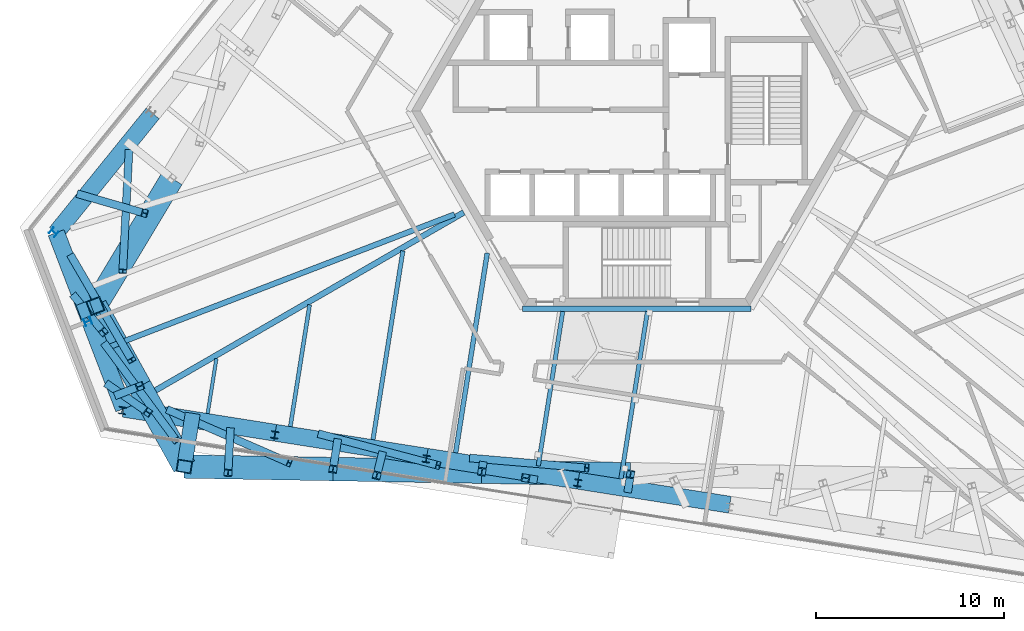
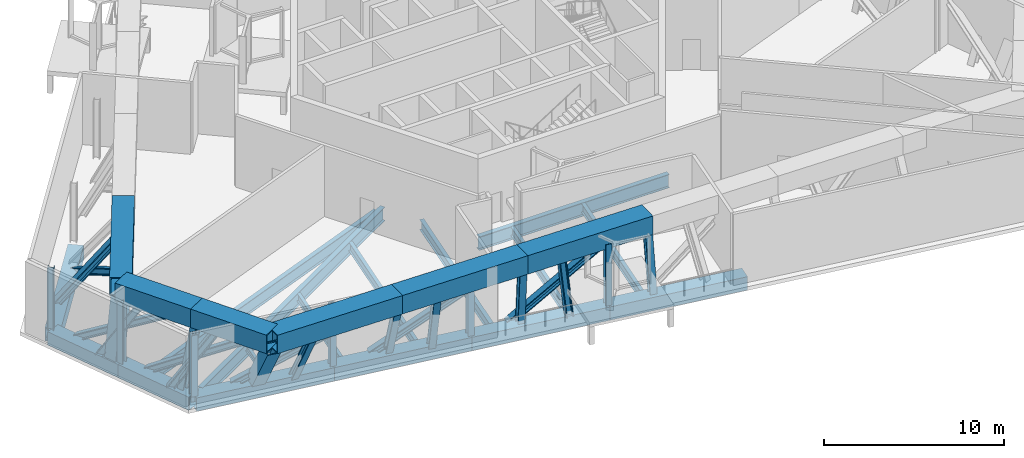
# One storey, part 1 of 14: 37 members, 9 beams.
"""IFC4 building model written with IfcOpenShell, lengths in metres."""

from ifc_helpers import new_model, si_unit, direction, frame, origin, origin_2d, place, context, subcontext, project, spatial, hollow_rectangle, i_section, extrude, source, transform, mapped, material, material_profile, profile_set, type_object, element, save


model = new_model("IFC4")

# Units and contexts
model_context = context("Model", 3, precision=1e-05, world=origin(), true_north=direction((0.0, 1.0)))
body_context = subcontext(model_context, "Body", "Model", "MODEL_VIEW")
ifc_project = project(units=[si_unit("LENGTHUNIT", "METRE"), si_unit("AREAUNIT", "SQUARE_METRE"), si_unit("VOLUMEUNIT", "CUBIC_METRE"), si_unit("PLANEANGLEUNIT", "RADIAN"), si_unit("MASSUNIT", "GRAM", prefix="KILO")], contexts=[model_context])

# Site, building, storey
site_placement = place(None, origin())
site = spatial("IfcSite", under=ifc_project, at=site_placement, CompositionType="ELEMENT")
building_placement = place(site_placement, origin())
building = spatial("IfcBuilding", under=site, at=building_placement, Name="Triune Harvest Tower", CompositionType="ELEMENT")
storey_placement = place(building_placement, frame((0.0, 0.0, 174.925048828125)))
storey = spatial("IfcBuildingStorey", under=building, at=storey_placement, Name="L45", CompositionType="ELEMENT", Elevation=174.925048828125)

# Member
ifc_material_1 = material(Name="Steel ASTM A992 Gr 50", Category="steel")
ifc_material_profile_1 = material_profile(ifc_material_1, i_section(OverallWidth=0.411376953125, OverallDepth=0.434326171875, WebThickness=0.035888671875, FlangeThickness=0.057373046875, at=origin_2d()), Name="W14x311")
ifc_profile_set_1 = profile_set([ifc_material_profile_1], Name="Steel ASTM A992 Gr 50")
member_type_1 = type_object("IfcMemberType", Name="TD-2 Belt truss diagonal W14x311", PredefinedType="BRACE", material=ifc_profile_set_1)
member_1_placement = place(storey_placement, frame((-28.341064453125, -12.449951171875, -0.324951171875), z_axis=(0.507072290252, -0.683894989151, 0.524562042349), x_axis=(0.803285531176, 0.595594119685, 0.0)))
element("IfcMember", 1, at=member_1_placement, inside=storey, type_object=member_type_1, Name="truss/L45/TD31", PredefinedType="BRACE", context=body_context, shape_type="SweptSolid", body=[
    extrude(i_section(OverallWidth=0.411376953125, OverallDepth=0.434326171875, WebThickness=0.035888671875, FlangeThickness=0.057373046875, at=origin_2d()), origin(), (0.0, 0.0, 1.0), 7.482177734375),
])

# Beams
ifc_material_2 = material(Name="Steel ASTM A992 Gr 50", Category="steel")
ifc_material_profile_2 = material_profile(ifc_material_2, i_section(OverallWidth=0.3046875, OverallDepth=0.914306640625, WebThickness=0.0166015625, FlangeThickness=0.02587890625, at=origin_2d()), Name="W36x160")
ifc_profile_set_2 = profile_set([ifc_material_profile_2], Name="Steel ASTM A992 Gr 50")
beam_type_1 = type_object("IfcBeamType", Name="CG-1 Core ring girder W36x160", PredefinedType="BEAM", material=ifc_profile_set_2)
shared_shape_1 = source(origin(), body_context, "Body", "SweptSolid", [
    extrude(i_section(OverallWidth=0.3046875, OverallDepth=0.914306640625, WebThickness=0.0166015625, FlangeThickness=0.02587890625, at=origin_2d()), origin(), (0.0, 0.0, 1.0), 12.17578125),
])
beam_1_placement = place(storey_placement, frame((-6.087890625, -10.544677734375, -0.707275390625), z_axis=(1.0, 0.0, 0.0), x_axis=(0.0, 1.0, 0.0)))
element("IfcBeam", 2, at=beam_1_placement, inside=storey, type_object=beam_type_1, Name="beam/L45/CG5", PredefinedType="BEAM", context=body_context, shape_type="MappedRepresentation", body=[
    mapped(shared_shape_1, transform((0.0, 0.0, 0.0), scale=1.0)),
])
ifc_material_3 = material(Name="Steel ASTM A992 Gr 50", Category="steel")
ifc_material_profile_3 = material_profile(ifc_material_3, i_section(OverallWidth=0.307373046875, OverallDepth=0.922119140625, WebThickness=0.018310546875, FlangeThickness=0.030029296875, at=origin_2d()), Name="W36x182")
ifc_profile_set_3 = profile_set([ifc_material_profile_3], Name="Steel ASTM A992 Gr 50")
beam_type_2 = type_object("IfcBeamType", Name="HG-2 Hip girder W36x182", PredefinedType="BEAM", material=ifc_profile_set_3)
shared_shape_2 = source(origin(), body_context, "Body", "SweptSolid", [
    extrude(i_section(OverallWidth=0.307373046875, OverallDepth=0.922119140625, WebThickness=0.018310546875, FlangeThickness=0.030029296875, at=origin_2d()), origin(), (0.0, 0.0, 1.0), 20.209716796875),
])
beam_2_placement = place(storey_placement, frame((-26.7265625, -15.522216796875, -0.7109375), z_axis=(0.866023643303, 0.500003049231, 0.0), x_axis=(-0.500003049231, 0.866023643303, 0.0)))
element("IfcBeam", 3, at=beam_2_placement, inside=storey, type_object=beam_type_2, Name="beam/L45/HG6", PredefinedType="BEAM", context=body_context, shape_type="MappedRepresentation", body=[
    mapped(shared_shape_2, transform((0.0, 0.0, 0.0), scale=1.0)),
])
ifc_material_4 = material(Name="Steel ASTM A992 Gr 50", Category="steel")
ifc_material_profile_4 = material_profile(ifc_material_4, i_section(OverallWidth=0.22900390625, OverallDepth=0.612060546875, WebThickness=0.011962890625, FlangeThickness=0.01953125, at=origin_2d()), Name="W24x84")
ifc_profile_set_4 = profile_set([ifc_material_profile_4], Name="Steel ASTM A992 Gr 50")
beam_type_3 = type_object("IfcBeamType", Name="JT-3 Floor joist W24x84", PredefinedType="JOIST", material=ifc_profile_set_4)
shared_shape_3 = source(origin(), body_context, "Body", "SweptSolid", [
    extrude(i_section(OverallWidth=0.22900390625, OverallDepth=0.612060546875, WebThickness=0.011962890625, FlangeThickness=0.01953125, at=origin_2d()), origin(), (0.0, 0.0, 1.0), 10.18505859375),
])
beam_3_placement = place(storey_placement, frame((-14.062744140625, -17.52783203125, -0.55615234375), z_axis=(0.156432770181, 0.987688609033, 0.0), x_axis=(-0.987688609033, 0.156432770181, 0.0)))
element("IfcBeam", 4, at=beam_3_placement, inside=storey, type_object=beam_type_3, Name="beam/L45/JT27", PredefinedType="JOIST", context=body_context, shape_type="MappedRepresentation", body=[
    mapped(shared_shape_3, transform((0.0, 0.0, 0.0), scale=1.0)),
])
ifc_material_5 = material(Name="Steel ASTM A992 Gr 50", Category="steel")
ifc_material_profile_5 = material_profile(ifc_material_5, i_section(OverallWidth=0.253662109375, OverallDepth=0.683349609375, WebThickness=0.012451171875, FlangeThickness=0.01904296875, at=origin_2d()), Name="W27x94")
ifc_profile_set_5 = profile_set([ifc_material_profile_5], Name="Steel ASTM A992 Gr 50")
beam_type_4 = type_object("IfcBeamType", Name="JT-4 Floor joist W27x94", PredefinedType="JOIST", material=ifc_profile_set_5)
shared_shape_4 = source(origin(), body_context, "Body", "SweptSolid", [
    extrude(i_section(OverallWidth=0.253662109375, OverallDepth=0.683349609375, WebThickness=0.012451171875, FlangeThickness=0.01904296875, at=origin_2d()), origin(), (0.0, 0.0, 1.0), 10.773681640625),
])
beam_4_placement = place(storey_placement, frame((-9.65869140625, -18.225341796875, -0.591552734375), z_axis=(0.156448961838, 0.987686044419, 0.0), x_axis=(-0.987686044419, 0.156448961838, 0.0)))
element("IfcBeam", 5, at=beam_4_placement, inside=storey, type_object=beam_type_4, Name="beam/L45/JT28", PredefinedType="JOIST", context=body_context, shape_type="MappedRepresentation", body=[
    mapped(shared_shape_4, transform((0.0, 0.0, 0.0), scale=1.0)),
])
shared_shape_5 = source(origin(), body_context, "Body", "SweptSolid", [
    extrude(i_section(OverallWidth=0.22900390625, OverallDepth=0.612060546875, WebThickness=0.011962890625, FlangeThickness=0.01953125, at=origin_2d()), origin(), (0.0, 0.0, 1.0), 9.03466796875),
])
beam_5_placement = place(storey_placement, frame((-0.850341796875, -19.620361328125, -0.55615234375), z_axis=(0.156435749013, 0.987688137233, 0.0), x_axis=(-0.987688137233, 0.156435749013, 0.0)))
element("IfcBeam", 6, at=beam_5_placement, inside=storey, type_object=beam_type_3, Name="beam/L45/JT30", PredefinedType="JOIST", context=body_context, shape_type="MappedRepresentation", body=[
    mapped(shared_shape_5, transform((0.0, 0.0, 0.0), scale=1.0)),
])
ifc_material_6 = material(Name="Steel ASTM A992 Gr 50", Category="steel")
ifc_material_profile_6 = material_profile(ifc_material_6, i_section(OverallWidth=0.180908203125, OverallDepth=0.41650390625, WebThickness=0.010986328125, FlangeThickness=0.01806640625, at=origin_2d()), Name="W16x57")
ifc_profile_set_6 = profile_set([ifc_material_profile_6], Name="Steel ASTM A992 Gr 50")
beam_type_5 = type_object("IfcBeamType", Name="JT-1 Floor joist W16x57", PredefinedType="JOIST", material=ifc_profile_set_6)
shared_shape_6 = source(origin(), body_context, "Body", "SweptSolid", [
    extrude(i_section(OverallWidth=0.180908203125, OverallDepth=0.41650390625, WebThickness=0.010986328125, FlangeThickness=0.01806640625, at=origin_2d()), origin(), (0.0, 0.0, 1.0), 2.963134765625),
])
beam_6_placement = place(storey_placement, frame((-22.87109375, -16.1328125, -0.458251953125), z_axis=(0.156377184398, 0.987697411255, 0.0), x_axis=(-0.987697411255, 0.156377184398, 0.0)))
element("IfcBeam", 7, at=beam_6_placement, inside=storey, type_object=beam_type_5, Name="beam/L45/JT25", PredefinedType="JOIST", context=body_context, shape_type="MappedRepresentation", body=[
    mapped(shared_shape_6, transform((0.0, 0.0, 0.0), scale=1.0)),
])
ifc_material_7 = material(Name="Steel ASTM A992 Gr 50", Category="steel")
ifc_material_profile_7 = material_profile(ifc_material_7, i_section(OverallWidth=0.2099609375, OverallDepth=0.535888671875, WebThickness=0.010986328125, FlangeThickness=0.017333984375, at=origin_2d()), Name="W21x68")
ifc_profile_set_7 = profile_set([ifc_material_profile_7], Name="Steel ASTM A992 Gr 50")
beam_type_6 = type_object("IfcBeamType", Name="JT-2 Floor joist W21x68", PredefinedType="JOIST", material=ifc_profile_set_7)
shared_shape_7 = source(origin(), body_context, "Body", "SweptSolid", [
    extrude(i_section(OverallWidth=0.2099609375, OverallDepth=0.535888671875, WebThickness=0.010986328125, FlangeThickness=0.017333984375, at=origin_2d()), origin(), (0.0, 0.0, 1.0), 6.573974609375),
])
beam_7_placement = place(storey_placement, frame((-18.467041015625, -16.830322265625, -0.51806640625), z_axis=(0.156420242819, 0.987690593069, 0.0), x_axis=(-0.987690593069, 0.156420242819, 0.0)))
element("IfcBeam", 8, at=beam_7_placement, inside=storey, type_object=beam_type_6, Name="beam/L45/JT26", PredefinedType="JOIST", context=body_context, shape_type="MappedRepresentation", body=[
    mapped(shared_shape_7, transform((0.0, 0.0, 0.0), scale=1.0)),
])
shared_shape_8 = source(origin(), body_context, "Body", "SweptSolid", [
    extrude(i_section(OverallWidth=0.22900390625, OverallDepth=0.612060546875, WebThickness=0.011962890625, FlangeThickness=0.01953125, at=origin_2d()), origin(), (0.0, 0.0, 1.0), 8.328369140625),
])
beam_8_placement = place(storey_placement, frame((-5.25439453125, -18.9228515625, -0.55615234375), z_axis=(0.156421683644, 0.987690364885, 0.0), x_axis=(-0.987690364885, 0.156421683644, 0.0)))
element("IfcBeam", 9, at=beam_8_placement, inside=storey, type_object=beam_type_3, Name="beam/L45/JT29", PredefinedType="JOIST", context=body_context, shape_type="MappedRepresentation", body=[
    mapped(shared_shape_8, transform((0.0, 0.0, 0.0), scale=1.0)),
])
ifc_material_8 = material(Name="Steel ASTM A992 Gr 50", Category="steel")
ifc_material_profile_8 = material_profile(ifc_material_8, i_section(OverallWidth=0.2919921875, OverallDepth=0.8583984375, WebThickness=0.01708984375, FlangeThickness=0.031005859375, at=origin_2d()), Name="W33x169")
ifc_profile_set_8 = profile_set([ifc_material_profile_8], Name="Steel ASTM A992 Gr 50")
beam_type_7 = type_object("IfcBeamType", Name="JT-7 Floor joist W33x169", PredefinedType="JOIST", material=ifc_profile_set_8)
shared_shape_9 = source(origin(), body_context, "Body", "SweptSolid", [
    extrude(i_section(OverallWidth=0.2919921875, OverallDepth=0.8583984375, WebThickness=0.01708984375, FlangeThickness=0.031005859375, at=origin_2d()), origin(), (0.0, 0.0, 1.0), 19.718505859375),
])
beam_9_placement = place(storey_placement, frame((-28.126220703125, -12.5908203125, -0.679443359375), z_axis=(0.933582496959, 0.35836255576, 0.0), x_axis=(-0.35836255576, 0.933582496959, 0.0)))
element("IfcBeam", 10, at=beam_9_placement, inside=storey, type_object=beam_type_7, Name="beam/L45/JT24", PredefinedType="JOIST", context=body_context, shape_type="MappedRepresentation", body=[
    mapped(shared_shape_9, transform((0.0, 0.0, 0.0), scale=1.0)),
])

# Members
ifc_material_9 = material(Name="Steel ASTM A992 Gr 50", Category="steel")
ifc_material_profile_9 = material_profile(ifc_material_9, i_section(OverallWidth=0.373291015625, OverallDepth=0.373291015625, WebThickness=0.016357421875, FlangeThickness=0.026123046875, at=origin_2d()), Name="W14x132")
ifc_profile_set_9 = profile_set([ifc_material_profile_9], Name="Steel ASTM A992 Gr 50")
member_type_2 = type_object("IfcMemberType", Name="WP-4 Roof edge post W14x132", PredefinedType="POST", material=ifc_profile_set_9)
shared_shape_10 = source(origin(), body_context, "Body", "SweptSolid", [
    extrude(i_section(OverallWidth=0.373291015625, OverallDepth=0.373291015625, WebThickness=0.016357421875, FlangeThickness=0.026123046875, at=origin_2d()), origin(), (0.0, 0.0, 1.0), 4.150634765625),
])
for number, where, z_axis, x_axis, name in (
    (11, (-31.06591796875, -6.478271484375, -0.25), (0.0, 0.0, 1.0), (-0.629321747424, -0.777144863084, 0.0), "post/L45/W14"),
    (12, (-29.258544921875, -11.231201171875, -0.25), (0.0, 0.0, 1.0), (0.35836632014, -0.933581051966, 0.0), "post/L45/W15"),
    (13, (-27.42138671875, -15.972900390625, -0.25), (0.0, 0.0, 1.0), (0.987688340595, -0.15643446504, 0.0), "post/L45/W16"),
    (14, (-19.290283203125, -17.277099609375, -0.25), (0.0, 0.0, 1.0), (0.987688340595, -0.15643446504, 0.0), "post/L45/W17"),
    (15, (-11.2158203125, -18.555908203125, -0.25), (0.0, 0.0, 1.0), (0.987688340595, -0.15643446504, 0.0), "post/L45/W18"),
    (16, (-3.1416015625, -19.834716796875, -0.25), (0.0, 0.0, 1.0), (0.987688340595, -0.15643446504, 0.0), "post/L45/W19"),
):
    element("IfcMember", number, at=place(storey_placement, frame(where, z_axis=z_axis, x_axis=x_axis)), inside=storey, type_object=member_type_2, Name=name, PredefinedType="POST", context=body_context, shape_type="MappedRepresentation", body=[
        mapped(shared_shape_10, transform((0.0, 0.0, 0.0), scale=1.0)),
    ])
ifc_material_10 = material(Name="Steel ASTM A572 Gr 50", Category="steel")
ifc_material_profile_10 = material_profile(ifc_material_10, hollow_rectangle(XDim=0.89990234375, YDim=0.89990234375, WallThickness=0.050048828125, at=origin_2d()), Name="Box 900x900x50")
ifc_profile_set_10 = profile_set([ifc_material_profile_10], Name="Steel ASTM A572 Gr 50")
member_type_3 = type_object("IfcMemberType", Name="TC-2 Belt truss chord Box 900x900x50", PredefinedType="CHORD", material=ifc_profile_set_10)
shared_shape_11 = source(origin(), body_context, "Body", "SweptSolid", [
    extrude(hollow_rectangle(XDim=0.89990234375, YDim=0.89990234375, WallThickness=0.050048828125, at=origin_2d()), origin(), (0.0, 0.0, 1.0), 8.175048828125),
])
for number, where, z_axis, x_axis, name in (
    (17, (-25.802734375, -0.143798828125, -0.699951171875), (-0.629320212564, -0.777146105992, 0.0), (0.777146105992, -0.629320212564, 0.0), "truss/L45/TCB14"),
    (18, (-19.271484375, -17.158447265625, -0.699951171875), (0.987689487642, -0.156427222697, 0.0), (0.156427222697, 0.987689487642, 0.0), "truss/L45/TCB18"),
    (19, (-3.122802734375, -19.716064453125, -0.699951171875), (0.987684873213, -0.156456355661, 0.0), (0.156456355661, 0.987684873213, 0.0), "truss/L45/TCB20"),
):
    element("IfcMember", number, at=place(storey_placement, frame(where, z_axis=z_axis, x_axis=x_axis)), inside=storey, type_object=member_type_3, Name=name, PredefinedType="CHORD", context=body_context, shape_type="MappedRepresentation", body=[
        mapped(shared_shape_11, transform((0.0, 0.0, 0.0), scale=1.0)),
    ])
shared_shape_12 = source(origin(), body_context, "Body", "SweptSolid", [
    extrude(hollow_rectangle(XDim=0.89990234375, YDim=0.89990234375, WallThickness=0.050048828125, at=origin_2d()), origin(), (0.0, 0.0, 1.0), 8.1748046875),
])
for number, where, z_axis, x_axis, name in (
    (20, (-27.345703125, -15.879638671875, -0.699951171875), (0.987688756855, -0.156431836853, 0.0), (0.156431836853, 0.987688756855, 0.0), "truss/L45/TCB17"),
    (21, (-11.197021484375, -18.437255859375, -0.699951171875), (0.987688756855, -0.156431836853, 0.0), (0.156431836853, 0.987688756855, 0.0), "truss/L45/TCB19"),
):
    element("IfcMember", number, at=place(storey_placement, frame(where, z_axis=z_axis, x_axis=x_axis)), inside=storey, type_object=member_type_3, Name=name, PredefinedType="CHORD", context=body_context, shape_type="MappedRepresentation", body=[
        mapped(shared_shape_12, transform((0.0, 0.0, 0.0), scale=1.0)),
    ])
shared_shape_13 = source(origin(), body_context, "Body", "SweptSolid", [
    extrude(hollow_rectangle(XDim=0.89990234375, YDim=0.89990234375, WallThickness=0.050048828125, at=origin_2d()), origin(), (0.0, 0.0, 1.0), 5.02490234375),
])
member_2_placement = place(storey_placement, frame((-30.947509765625, -6.4970703125, -0.699951171875), z_axis=(0.358412520563, -0.933563316066, 0.0), x_axis=(0.933563316066, 0.358412520563, 0.0)))
element("IfcMember", 22, at=member_2_placement, inside=storey, type_object=member_type_3, Name="truss/L45/TCB15", PredefinedType="CHORD", context=body_context, shape_type="MappedRepresentation", body=[
    mapped(shared_shape_13, transform((0.0, 0.0, 0.0), scale=1.0)),
])
shared_shape_14 = source(origin(), body_context, "Body", "SweptSolid", [
    extrude(hollow_rectangle(XDim=0.89990234375, YDim=0.89990234375, WallThickness=0.050048828125, at=origin_2d()), origin(), (0.0, 0.0, 1.0), 5.025146484375),
])
member_3_placement = place(storey_placement, frame((-29.146484375, -11.188232421875, -0.699951171875), z_axis=(0.358353920963, -0.933585811445, 0.0), x_axis=(0.933585811445, 0.358353920963, 0.0)))
element("IfcMember", 23, at=member_3_placement, inside=storey, type_object=member_type_3, Name="truss/L45/TCB16", PredefinedType="CHORD", context=body_context, shape_type="MappedRepresentation", body=[
    mapped(shared_shape_14, transform((0.0, 0.0, 0.0), scale=1.0)),
])
ifc_material_11 = material(Name="Steel ASTM A572 Gr 50", Category="steel")
ifc_material_profile_11 = material_profile(ifc_material_11, hollow_rectangle(XDim=1.25, YDim=1.25, WallThickness=0.070068359375, at=origin_2d()), Name="Box 1250x1250x70")
ifc_profile_set_11 = profile_set([ifc_material_profile_11], Name="Steel ASTM A572 Gr 50")
member_type_4 = type_object("IfcMemberType", Name="TC-1 Belt truss chord Box 1250x1250x70", PredefinedType="CHORD", material=ifc_profile_set_11)
shared_shape_15 = source(origin(), body_context, "Body", "SweptSolid", [
    extrude(hollow_rectangle(XDim=1.25, YDim=1.25, WallThickness=0.070068359375, at=origin_2d()), origin(), (0.0, 0.0, 1.0), 7.92724609375),
])
for number, where, z_axis, x_axis, name in (
    (24, (-24.773193359375, -3.611083984375, 4.18994140625), (-0.515034618449, -0.857169377544, 0.0), (0.857169377544, -0.515034618449, 0.0), "truss/L45/TCT14"),
    (25, (-24.1162109375, -18.956787109375, 4.18994140625), (0.999847522428, -0.017462299252, 0.0), (0.017462299252, 0.999847522428, 0.0), "truss/L45/TCT17"),
    (26, (-16.190185546875, -19.09521484375, 4.18994140625), (0.999847522428, -0.017462299252, 0.0), (0.017462299252, 0.999847522428, 0.0), "truss/L45/TCT18"),
    (27, (-8.26416015625, -19.233642578125, 4.18994140625), (0.999847522428, -0.017462299252, 0.0), (0.017462299252, 0.999847522428, 0.0), "truss/L45/TCT19"),
):
    element("IfcMember", number, at=place(storey_placement, frame(where, z_axis=z_axis, x_axis=x_axis)), inside=storey, type_object=member_type_4, Name=name, PredefinedType="CHORD", context=body_context, shape_type="MappedRepresentation", body=[
        mapped(shared_shape_15, transform((0.0, 0.0, 0.0), scale=1.0)),
    ])
shared_shape_16 = source(origin(), body_context, "Body", "SweptSolid", [
    extrude(hollow_rectangle(XDim=1.25, YDim=1.25, WallThickness=0.070068359375, at=origin_2d()), origin(), (0.0, 0.0, 1.0), 4.88818359375),
])
for number, where, z_axis, x_axis, name in (
    (28, (-28.85595703125, -10.406005859375, 4.18994140625), (0.484807323766, -0.874620980095, 0.0), (0.874620980095, 0.484807323766, 0.0), "truss/L45/TCT15"),
    (29, (-26.486083984375, -14.681396484375, 4.18994140625), (0.484807323766, -0.874620980095, 0.0), (0.874620980095, 0.484807323766, 0.0), "truss/L45/TCT16"),
):
    element("IfcMember", number, at=place(storey_placement, frame(where, z_axis=z_axis, x_axis=x_axis)), inside=storey, type_object=member_type_4, Name=name, PredefinedType="CHORD", context=body_context, shape_type="MappedRepresentation", body=[
        mapped(shared_shape_16, transform((0.0, 0.0, 0.0), scale=1.0)),
    ])
ifc_material_12 = material(Name="Steel ASTM A572 Gr 50", Category="steel")
ifc_material_profile_12 = material_profile(ifc_material_12, hollow_rectangle(XDim=0.800048828125, YDim=0.800048828125, WallThickness=0.050048828125, at=origin_2d()), Name="Box 800x800x50")
ifc_profile_set_12 = profile_set([ifc_material_profile_12], Name="Steel ASTM A572 Gr 50")
member_type_5 = type_object("IfcMemberType", Name="TS-2 Belt truss raked strut Box 800x800x50", PredefinedType="STRUT", material=ifc_profile_set_12)
shared_shape_17 = source(origin(), body_context, "Body", "SweptSolid", [
    extrude(hollow_rectangle(XDim=0.800048828125, YDim=0.800048828125, WallThickness=0.050048828125, at=origin_2d()), origin(), (0.0, 0.0, 1.0), 4.630126953125),
])
member_4_placement = place(storey_placement, frame((-23.7197265625, -16.453857421875, -0.275146484375), z_axis=(-0.085632612106, -0.540582228641, 0.836921686791), x_axis=(0.987684727367, -0.15645727636, 0.0)))
element("IfcMember", 30, at=member_4_placement, inside=storey, type_object=member_type_5, Name="truss/L45/TS17", PredefinedType="STRUT", context=body_context, shape_type="MappedRepresentation", body=[
    mapped(shared_shape_17, transform((0.0, 0.0, 0.0), scale=1.0)),
])
ifc_material_13 = material(Name="Steel ASTM A992 Gr 50", Category="steel")
ifc_material_profile_13 = material_profile(ifc_material_13, i_section(OverallWidth=0.411376953125, OverallDepth=0.434326171875, WebThickness=0.035888671875, FlangeThickness=0.057373046875, at=origin_2d()), Name="W14x311")
ifc_profile_set_13 = profile_set([ifc_material_profile_13], Name="Steel ASTM A992 Gr 50")
member_type_6 = type_object("IfcMemberType", Name="TV-1 Belt truss strut W14x311", PredefinedType="STRUT", material=ifc_profile_set_13)
shared_shape_18 = source(origin(), body_context, "Body", "SweptSolid", [
    extrude(i_section(OverallWidth=0.411376953125, OverallDepth=0.434326171875, WebThickness=0.035888671875, FlangeThickness=0.057373046875, at=origin_2d()), origin(), (0.0, 0.0, 1.0), 4.130859375),
])
member_5_placement = place(storey_placement, frame((-15.96630859375, -17.681884765625, -0.275146484375), z_axis=(-0.05419741074, -0.342147012839, 0.938082119153), x_axis=(0.987685375427, -0.156453185225, 0.0)))
element("IfcMember", 31, at=member_5_placement, inside=storey, type_object=member_type_6, Name="truss/L45/TS18", PredefinedType="STRUT", context=body_context, shape_type="MappedRepresentation", body=[
    mapped(shared_shape_18, transform((0.0, 0.0, 0.0), scale=1.0)),
])
shared_shape_19 = source(origin(), body_context, "Body", "SweptSolid", [
    extrude(i_section(OverallWidth=0.411376953125, OverallDepth=0.434326171875, WebThickness=0.035888671875, FlangeThickness=0.057373046875, at=origin_2d()), origin(), (0.0, 0.0, 1.0), 3.888916015625),
])
member_6_placement = place(storey_placement, frame((-8.212890625, -18.909912109375, -0.275146484375), z_axis=(-0.013183768888, -0.083246083551, 0.996441808542), x_axis=(0.987690385378, -0.156421554245, 0.0)))
element("IfcMember", 32, at=member_6_placement, inside=storey, type_object=member_type_6, Name="truss/L45/TS19", PredefinedType="STRUT", context=body_context, shape_type="MappedRepresentation", body=[
    mapped(shared_shape_19, transform((0.0, 0.0, 0.0), scale=1.0)),
])
shared_shape_20 = source(origin(), body_context, "Body", "SweptSolid", [
    extrude(i_section(OverallWidth=0.411376953125, OverallDepth=0.434326171875, WebThickness=0.035888671875, FlangeThickness=0.057373046875, at=origin_2d()), origin(), (0.0, 0.0, 1.0), 3.951904296875),
])
member_7_placement = place(storey_placement, frame((-0.45947265625, -20.137939453125, -0.275146484375), z_axis=(0.030704284285, 0.193801488537, 0.98056016132), x_axis=(-0.987681139296, 0.15647992548, 0.0)))
element("IfcMember", 33, at=member_7_placement, inside=storey, type_object=member_type_6, Name="truss/L45/TS20", PredefinedType="STRUT", context=body_context, shape_type="MappedRepresentation", body=[
    mapped(shared_shape_20, transform((0.0, 0.0, 0.0), scale=1.0)),
])
shared_shape_21 = source(origin(), body_context, "Body", "SweptSolid", [
    extrude(hollow_rectangle(XDim=0.800048828125, YDim=0.800048828125, WallThickness=0.050048828125, at=origin_2d()), origin(), (0.0, 0.0, 1.0), 3.9140625),
])
member_8_placement = place(storey_placement, frame((-29.37109375, -10.603759765625, -0.275146484375), z_axis=(0.131610864993, 0.050523602201, 0.990013103871), x_axis=(-0.358386030102, 0.933573485821, 0.0)))
element("IfcMember", 34, at=member_8_placement, inside=storey, type_object=member_type_5, Name="truss/L45/TS15", PredefinedType="STRUT", context=body_context, shape_type="MappedRepresentation", body=[
    mapped(shared_shape_21, transform((0.0, 0.0, 0.0), scale=1.0)),
])
shared_shape_22 = source(origin(), body_context, "Body", "SweptSolid", [
    extrude(i_section(OverallWidth=0.411376953125, OverallDepth=0.434326171875, WebThickness=0.035888671875, FlangeThickness=0.057373046875, at=origin_2d()), origin(), (0.0, 0.0, 1.0), 4.066162109375),
])
member_9_placement = place(storey_placement, frame((-27.63623046875, -15.123046875, -0.275146484375), z_axis=(0.282859346125, 0.108616547896, 0.95299162422), x_axis=(-0.358474429649, 0.933539545648, 0.0)))
element("IfcMember", 35, at=member_9_placement, inside=storey, type_object=member_type_6, Name="truss/L45/TS16", PredefinedType="STRUT", context=body_context, shape_type="MappedRepresentation", body=[
    mapped(shared_shape_22, transform((0.0, 0.0, 0.0), scale=1.0)),
])
shared_shape_23 = source(origin(), body_context, "Body", "SweptSolid", [
    extrude(i_section(OverallWidth=0.411376953125, OverallDepth=0.434326171875, WebThickness=0.035888671875, FlangeThickness=0.057373046875, at=origin_2d()), origin(), (0.0, 0.0, 1.0), 8.03662109375),
])
member_10_placement = place(storey_placement, frame((-24.949951171875, -15.955322265625, -0.324951171875), z_axis=(0.799952145544, -0.348682289392, 0.488361777685), x_axis=(0.399571168737, 0.91670217689, 0.0)))
element("IfcMember", 36, at=member_10_placement, inside=storey, type_object=member_type_1, Name="truss/L45/TD33", PredefinedType="BRACE", context=body_context, shape_type="MappedRepresentation", body=[
    mapped(shared_shape_23, transform((0.0, 0.0, 0.0), scale=1.0)),
])
shared_shape_24 = source(origin(), body_context, "Body", "SweptSolid", [
    extrude(i_section(OverallWidth=0.411376953125, OverallDepth=0.434326171875, WebThickness=0.035888671875, FlangeThickness=0.057373046875, at=origin_2d()), origin(), (0.0, 0.0, 1.0), 4.5068359375),
])
member_11_placement = place(storey_placement, frame((-21.667236328125, -17.082763671875, -0.324951171875), z_axis=(-0.026219465879, -0.490802398475, 0.870876308818), x_axis=(0.998576111506, -0.053345567105, 0.0)))
element("IfcMember", 37, at=member_11_placement, inside=storey, type_object=member_type_1, Name="truss/L45/TD34", PredefinedType="BRACE", context=body_context, shape_type="MappedRepresentation", body=[
    mapped(shared_shape_24, transform((0.0, 0.0, 0.0), scale=1.0)),
])
shared_shape_25 = source(origin(), body_context, "Body", "SweptSolid", [
    extrude(i_section(OverallWidth=0.411376953125, OverallDepth=0.434326171875, WebThickness=0.035888671875, FlangeThickness=0.057373046875, at=origin_2d()), origin(), (0.0, 0.0, 1.0), 7.590087890625),
])
member_12_placement = place(storey_placement, frame((-16.875732421875, -17.234130859375, -0.324951171875), z_axis=(0.827459187667, -0.218918842809, 0.517093640464), x_axis=(0.255767575988, 0.966738303303, 0.0)))
element("IfcMember", 38, at=member_12_placement, inside=storey, type_object=member_type_1, Name="truss/L45/TD35", PredefinedType="BRACE", context=body_context, shape_type="MappedRepresentation", body=[
    mapped(shared_shape_25, transform((0.0, 0.0, 0.0), scale=1.0)),
])
shared_shape_26 = source(origin(), body_context, "Body", "SweptSolid", [
    extrude(i_section(OverallWidth=0.411376953125, OverallDepth=0.434326171875, WebThickness=0.035888671875, FlangeThickness=0.057373046875, at=origin_2d()), origin(), (0.0, 0.0, 1.0), 4.0771484375),
])
member_13_placement = place(storey_placement, frame((-13.593017578125, -18.361572265625, -0.324951171875), z_axis=(-0.065329179921, -0.262813721975, 0.962632352351), x_axis=(0.970466795037, -0.241234739892, 0.0)))
element("IfcMember", 39, at=member_13_placement, inside=storey, type_object=member_type_1, Name="truss/L45/TD36", PredefinedType="BRACE", context=body_context, shape_type="MappedRepresentation", body=[
    mapped(shared_shape_26, transform((0.0, 0.0, 0.0), scale=1.0)),
])
shared_shape_27 = source(origin(), body_context, "Body", "SweptSolid", [
    extrude(i_section(OverallWidth=0.411376953125, OverallDepth=0.434326171875, WebThickness=0.035888671875, FlangeThickness=0.057373046875, at=origin_2d()), origin(), (0.0, 0.0, 1.0), 7.299072265625),
])
member_14_placement = place(storey_placement, frame((-8.80126953125, -18.512939453125, -0.324951171875), z_axis=(0.84010407118, -0.07141068567, 0.537704066898), x_axis=(0.084696757672, 0.996406773983, 0.0)))
element("IfcMember", 40, at=member_14_placement, inside=storey, type_object=member_type_1, Name="truss/L45/TD37", PredefinedType="BRACE", context=body_context, shape_type="MappedRepresentation", body=[
    mapped(shared_shape_27, transform((0.0, 0.0, 0.0), scale=1.0)),
])
shared_shape_28 = source(origin(), body_context, "Body", "SweptSolid", [
    extrude(i_section(OverallWidth=0.411376953125, OverallDepth=0.434326171875, WebThickness=0.035888671875, FlangeThickness=0.057373046875, at=origin_2d()), origin(), (0.0, 0.0, 1.0), 3.947265625),
])
member_15_placement = place(storey_placement, frame((-5.5185546875, -19.640380859375, -0.324951171875), z_axis=(-0.105084068132, 0.017503702932, 0.994309287399), x_axis=(-0.164304838048, -0.986409610757, 0.0)))
element("IfcMember", 41, at=member_15_placement, inside=storey, type_object=member_type_1, Name="truss/L45/TD38", PredefinedType="BRACE", context=body_context, shape_type="MappedRepresentation", body=[
    mapped(shared_shape_28, transform((0.0, 0.0, 0.0), scale=1.0)),
])
shared_shape_29 = source(origin(), body_context, "Body", "SweptSolid", [
    extrude(i_section(OverallWidth=0.411376953125, OverallDepth=0.434326171875, WebThickness=0.035888671875, FlangeThickness=0.057373046875, at=origin_2d()), origin(), (0.0, 0.0, 1.0), 5.322265625),
])
member_16_placement = place(storey_placement, frame((-29.683837890625, -4.460205078125, -0.324951171875), z_axis=(0.648724097888, -0.187984114916, 0.737440856855), x_axis=(0.278325221754, 0.960486892641, 0.0)))
element("IfcMember", 42, at=member_16_placement, inside=storey, type_object=member_type_1, Name="truss/L45/TD28", PredefinedType="BRACE", context=body_context, shape_type="MappedRepresentation", body=[
    mapped(shared_shape_29, transform((0.0, 0.0, 0.0), scale=1.0)),
])
shared_shape_30 = source(origin(), body_context, "Body", "SweptSolid", [
    extrude(i_section(OverallWidth=0.411376953125, OverallDepth=0.434326171875, WebThickness=0.035888671875, FlangeThickness=0.057373046875, at=origin_2d()), origin(), (0.0, 0.0, 1.0), 7.510986328125),
])
member_17_placement = place(storey_placement, frame((-30.141845703125, -7.7587890625, -0.324951171875), z_axis=(0.42935233513, -0.736617656046, 0.522542822284), x_axis=(0.863953071344, 0.503572328981, 0.0)))
element("IfcMember", 43, at=member_17_placement, inside=storey, type_object=member_type_1, Name="truss/L45/TD29", PredefinedType="BRACE", context=body_context, shape_type="MappedRepresentation", body=[
    mapped(shared_shape_30, transform((0.0, 0.0, 0.0), scale=1.0)),
])
shared_shape_31 = source(origin(), body_context, "Body", "SweptSolid", [
    extrude(i_section(OverallWidth=0.411376953125, OverallDepth=0.434326171875, WebThickness=0.035888671875, FlangeThickness=0.057373046875, at=origin_2d()), origin(), (0.0, 0.0, 1.0), 4.607666015625),
])
member_18_placement = place(storey_placement, frame((-29.9521484375, -9.9267578125, -0.324951171875), z_axis=(0.331424766637, -0.405710541669, 0.85179609088), x_axis=(0.774443753567, 0.63264276852, 0.0)))
element("IfcMember", 44, at=member_18_placement, inside=storey, type_object=member_type_1, Name="truss/L45/TD30", PredefinedType="BRACE", context=body_context, shape_type="MappedRepresentation", body=[
    mapped(shared_shape_31, transform((0.0, 0.0, 0.0), scale=1.0)),
])
shared_shape_32 = source(origin(), body_context, "Body", "SweptSolid", [
    extrude(i_section(OverallWidth=0.411376953125, OverallDepth=0.434326171875, WebThickness=0.035888671875, FlangeThickness=0.057373046875, at=origin_2d()), origin(), (0.0, 0.0, 1.0), 4.680908203125),
])
member_19_placement = place(storey_placement, frame((-28.1513671875, -14.617919921875, -0.324951171875), z_axis=(0.447815197035, -0.310539445976, 0.838466935423), x_axis=(0.569846842002, 0.821750921302, 0.0)))
element("IfcMember", 45, at=member_19_placement, inside=storey, type_object=member_type_1, Name="truss/L45/TD32", PredefinedType="BRACE", context=body_context, shape_type="MappedRepresentation", body=[
    mapped(shared_shape_32, transform((0.0, 0.0, 0.0), scale=1.0)),
])
shared_shape_33 = source(origin(), body_context, "Body", "SweptSolid", [
    extrude(i_section(OverallWidth=0.411376953125, OverallDepth=0.434326171875, WebThickness=0.035888671875, FlangeThickness=0.057373046875, at=origin_2d()), origin(), (0.0, 0.0, 1.0), 7.494140625),
])
member_20_placement = place(storey_placement, frame((-27.066162109375, -2.180908203125, -0.324951171875), z_axis=(-0.044273310241, -0.85073820723, 0.523721659624), x_axis=(0.998648608848, -0.051970722962, 0.0)))
element("IfcMember", 46, at=member_20_placement, inside=storey, type_object=member_type_1, Name="truss/L45/TD27", PredefinedType="BRACE", context=body_context, shape_type="MappedRepresentation", body=[
    mapped(shared_shape_33, transform((0.0, 0.0, 0.0), scale=1.0)),
])

save(model, "model.ifc")
